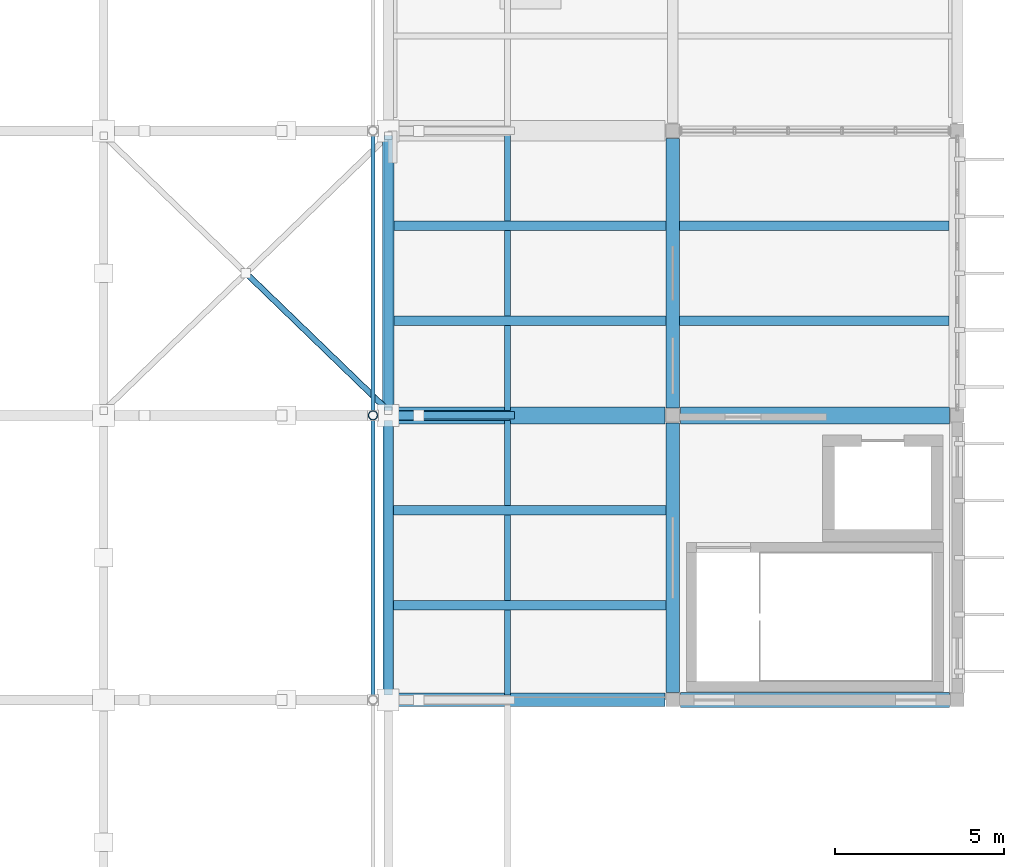
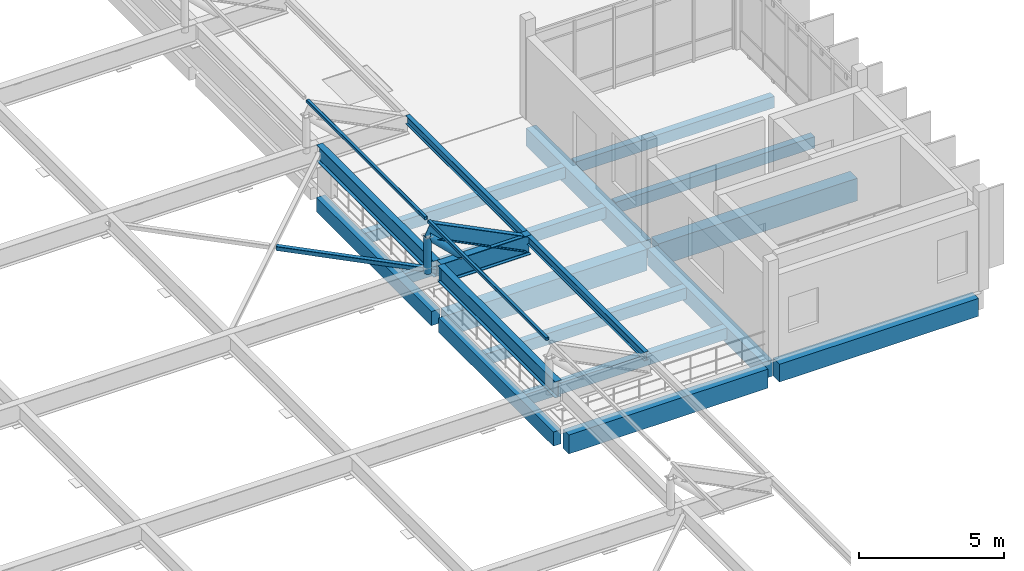
# One storey, part 11 of 41: 20 beams, 5 members.
"""IFC4 building model written with IfcOpenShell, lengths in metres."""

from ifc_helpers import new_model, si_unit, direction, frame, origin, origin_2d, place, context, subcontext, project, spatial, rectangle, hollow_rectangle, hollow_circle, i_section, extrude, material, material_profile, profile_set, type_object, element, save


model = new_model("IFC4")

# Units and contexts
model_context = context("Model", 3, precision=1e-05, world=origin(), true_north=direction((0.0, 1.0)))
body_context = subcontext(model_context, "Body", "Model", "MODEL_VIEW")
ifc_project = project(units=[si_unit("LENGTHUNIT", "METRE"), si_unit("AREAUNIT", "SQUARE_METRE"), si_unit("VOLUMEUNIT", "CUBIC_METRE"), si_unit("PLANEANGLEUNIT", "RADIAN"), si_unit("MASSUNIT", "GRAM", prefix="KILO")], contexts=[model_context])

# Site, building, storey
site_placement = place(None, origin())
site = spatial("IfcSite", under=ifc_project, at=site_placement, CompositionType="ELEMENT")
building_placement = place(site_placement, origin())
building = spatial("IfcBuilding", under=site, at=building_placement, Name="Vireocrest Preparatory School", CompositionType="ELEMENT")
storey_placement = place(building_placement, frame((0.0, 0.0, 21.60009765625)))
storey = spatial("IfcBuildingStorey", under=building, at=storey_placement, Name="L05", CompositionType="ELEMENT", Elevation=21.60009765625)

# Beams
ifc_material_1 = material(Name="Structural steel ASTM A992 Grade 50", Category="steel")
ifc_material_profile_1 = material_profile(ifc_material_1, i_section(OverallWidth=0.25390625, OverallDepth=0.68408203125, WebThickness=0.012451171875, FlangeThickness=0.018798828125, FilletRadius=0.01806640625, at=origin_2d()), Name="W27X94")
ifc_profile_set_1 = profile_set([ifc_material_profile_1], Name="Structural steel ASTM A992 Grade 50")
beam_type_1 = type_object("IfcBeamType", Name="Bridge Primary Steel Girder W27X94", PredefinedType="BEAM", material=ifc_profile_set_1)
beam_1_placement = place(storey_placement, frame((92.39990234375, 43.944091796875, 1.492919921875), z_axis=(0.0, 1.0, 0.0), x_axis=(-1.0, 0.0, 0.0)))
element("IfcBeam", 1, at=beam_1_placement, inside=storey, type_object=beam_type_1, Name="Canopy Longitudinal Beam EO-3", PredefinedType="BEAM", context=body_context, shape_type="SweptSolid", body=[
    extrude(i_section(OverallWidth=0.25390625, OverallDepth=0.68408203125, WebThickness=0.012451171875, FlangeThickness=0.018798828125, FilletRadius=0.01806640625, at=origin_2d()), origin(), (0.0, 0.0, 1.0), 8.11181640625),
])
beam_2_placement = place(storey_placement, frame((92.39990234375, 52.343994140625, 1.492919921875), z_axis=(0.0, 1.0, 0.0), x_axis=(-1.0, 0.0, 0.0)))
element("IfcBeam", 2, at=beam_2_placement, inside=storey, type_object=beam_type_1, Name="Canopy Longitudinal Beam EO-4", PredefinedType="BEAM", context=body_context, shape_type="SweptSolid", body=[
    extrude(i_section(OverallWidth=0.25390625, OverallDepth=0.68408203125, WebThickness=0.012451171875, FlangeThickness=0.018798828125, FilletRadius=0.01806640625, at=origin_2d()), origin(), (0.0, 0.0, 1.0), 8.112060546875),
])

# Members
ifc_material_2 = material(Name="Painted white steel ASTM A500 Grade C", Category="steel")
ifc_material_profile_2 = material_profile(ifc_material_2, hollow_rectangle(XDim=0.126953125, YDim=0.126953125, WallThickness=0.0087890625, InnerFilletRadius=0.0087890625, OuterFilletRadius=0.017822265625, at=origin_2d()), Name="HSS5X5X3/8")
ifc_profile_set_2 = profile_set([ifc_material_profile_2], Name="Painted white steel ASTM A500 Grade C")
member_type_1 = type_object("IfcMemberType", Name="Canopy Glass Steel Purlin HSS5X5X3/8", PredefinedType="PURLIN", material=ifc_profile_set_2)
member_1_placement = place(storey_placement, frame((91.949951171875, 43.909912109375, 3.7919921875), z_axis=(0.0, 1.0, 0.0), x_axis=(-1.0, 0.0, 0.0)))
element("IfcMember", 3, at=member_1_placement, inside=storey, type_object=member_type_1, Name="Canopy Glass Purlin PR2-3-8", PredefinedType="PURLIN", context=body_context, shape_type="SweptSolid", body=[
    extrude(hollow_rectangle(XDim=0.126953125, YDim=0.126953125, WallThickness=0.0087890625, InnerFilletRadius=0.0087890625, OuterFilletRadius=0.017822265625, at=origin_2d()), origin(), (0.0, 0.0, 1.0), 8.18017578125),
])
member_2_placement = place(storey_placement, frame((91.949951171875, 52.31005859375, 3.7919921875), z_axis=(0.0, 1.0, 0.0), x_axis=(-1.0, 0.0, 0.0)))
element("IfcMember", 4, at=member_2_placement, inside=storey, type_object=member_type_1, Name="Canopy Glass Purlin PR2-4-8", PredefinedType="PURLIN", context=body_context, shape_type="SweptSolid", body=[
    extrude(hollow_rectangle(XDim=0.126953125, YDim=0.126953125, WallThickness=0.0087890625, InnerFilletRadius=0.0087890625, OuterFilletRadius=0.017822265625, at=origin_2d()), origin(), (0.0, 0.0, 1.0), 8.179931640625),
])
ifc_material_profile_3 = material_profile(ifc_material_2, hollow_rectangle(XDim=0.177734375, YDim=0.177734375, WallThickness=0.0087890625, InnerFilletRadius=0.0087890625, OuterFilletRadius=0.017822265625, at=origin_2d()), Name="HSS7X7X3/8")
ifc_profile_set_3 = profile_set([ifc_material_profile_3], Name="Painted white steel ASTM A500 Grade C")
member_type_2 = type_object("IfcMemberType", Name="Canopy Plane Wind Brace HSS7X7X3/8", PredefinedType="BRACE", material=ifc_profile_set_3)
member_3_placement = place(storey_placement, frame((88.286376953125, 56.316650390625, 1.41748046875), z_axis=(0.718974870981, -0.695036067336, 0.0), x_axis=(0.695036067336, 0.718974870981, 0.0)))
element("IfcMember", 5, at=member_3_placement, inside=storey, type_object=member_type_2, Name="Canopy Split Wind X-Brace BR2-4-E-2", PredefinedType="BRACE", context=body_context, shape_type="SweptSolid", body=[
    extrude(hollow_rectangle(XDim=0.177734375, YDim=0.177734375, WallThickness=0.0087890625, InnerFilletRadius=0.0087890625, OuterFilletRadius=0.017822265625, at=origin_2d()), origin(), (0.0, 0.0, 1.0), 5.721435546875),
])

# Beams
ifc_material_profile_4 = material_profile(ifc_material_1, i_section(OverallWidth=0.2919921875, OverallDepth=0.8349609375, WebThickness=0.013916015625, FlangeThickness=0.018798828125, FilletRadius=0.02001953125, at=origin_2d()), Name="W33X118")
ifc_profile_set_4 = profile_set([ifc_material_profile_4], Name="Structural steel ASTM A992 Grade 50")
beam_type_2 = type_object("IfcBeamType", Name="Central Court Canopy Primary Girder W33X118", PredefinedType="BEAM", material=ifc_profile_set_4)
beam_3_placement = place(storey_placement, frame((92.39990234375, 52.199951171875, 1.41748046875), z_axis=(1.0, 0.0, 0.0), x_axis=(0.0, 1.0, 0.0)))
element("IfcBeam", 6, at=beam_3_placement, inside=storey, type_object=beam_type_2, Name="Central Court Canopy Primary Girder CG1-4E", PredefinedType="BEAM", context=body_context, shape_type="SweptSolid", body=[
    extrude(i_section(OverallWidth=0.2919921875, OverallDepth=0.8349609375, WebThickness=0.013916015625, FlangeThickness=0.018798828125, FilletRadius=0.02001953125, at=origin_2d()), origin(), (0.0, 0.0, 1.0), 3.60009765625),
])
ifc_material_profile_5 = material_profile(ifc_material_1, i_section(OverallWidth=0.22802734375, OverallDepth=0.60302734375, WebThickness=0.010498046875, FlangeThickness=0.014892578125, FilletRadius=0.01611328125, at=origin_2d()), Name="W24X68")
ifc_profile_set_5 = profile_set([ifc_material_profile_5], Name="Structural steel ASTM A992 Grade 50")
beam_type_3 = type_object("IfcBeamType", Name="Dining Pavilion Roof Girder W24X68", PredefinedType="BEAM", material=ifc_profile_set_5)
beam_4_placement = place(storey_placement, frame((91.949951171875, 52.199951171875, 3.394287109375), z_axis=(0.894869090369, 0.0, -0.446328702979), x_axis=(0.0, 1.0, 0.0)))
element("IfcBeam", 7, at=beam_4_placement, inside=storey, type_object=beam_type_3, Name="Canopy Rafter Chord SB4-4-8", PredefinedType="BEAM", context=body_context, shape_type="SweptSolid", body=[
    extrude(i_section(OverallWidth=0.22802734375, OverallDepth=0.60302734375, WebThickness=0.010498046875, FlangeThickness=0.014892578125, FilletRadius=0.01611328125, at=origin_2d()), origin(), (0.0, 0.0, 1.0), 4.52587890625),
])
ifc_material_profile_6 = material_profile(ifc_material_1, i_section(OverallWidth=0.172119140625, OverallDepth=0.35791015625, WebThickness=0.0078125, FlangeThickness=0.01318359375, FilletRadius=0.012939453125, at=origin_2d()), Name="W14X38")
ifc_profile_set_6 = profile_set([ifc_material_profile_6], Name="Structural steel ASTM A992 Grade 50")
beam_type_4 = type_object("IfcBeamType", Name="Entrance Canopy Header Lintel W14X38", PredefinedType="USERDEFINED", material=ifc_profile_set_6)
beam_5_placement = place(storey_placement, frame((95.919921875, 43.944091796875, 1.656005859375), z_axis=(0.0, 1.0, 0.0), x_axis=(-1.0, 0.0, 0.0)))
element("IfcBeam", 8, at=beam_5_placement, inside=storey, type_object=beam_type_4, Name="Canopy Longitudinal Beam ETIP-3", ObjectType="LINTEL", PredefinedType="USERDEFINED", context=body_context, shape_type="SweptSolid", body=[
    extrude(i_section(OverallWidth=0.172119140625, OverallDepth=0.35791015625, WebThickness=0.0078125, FlangeThickness=0.01318359375, FilletRadius=0.012939453125, at=origin_2d()), origin(), (0.0, 0.0, 1.0), 8.11181640625),
])
beam_6_placement = place(storey_placement, frame((95.919921875, 52.343994140625, 1.656005859375), z_axis=(0.0, 1.0, 0.0), x_axis=(-1.0, 0.0, 0.0)))
element("IfcBeam", 9, at=beam_6_placement, inside=storey, type_object=beam_type_4, Name="Canopy Longitudinal Beam ETIP-4", ObjectType="LINTEL", PredefinedType="USERDEFINED", context=body_context, shape_type="SweptSolid", body=[
    extrude(i_section(OverallWidth=0.172119140625, OverallDepth=0.35791015625, WebThickness=0.0078125, FlangeThickness=0.01318359375, FilletRadius=0.012939453125, at=origin_2d()), origin(), (0.0, 0.0, 1.0), 8.112060546875),
])
ifc_material_3 = material(Name="Concrete 40 MPa", Category="concrete")
ifc_material_profile_7 = material_profile(ifc_material_3, rectangle(XDim=0.5, YDim=0.949951171875, at=origin_2d()), Name="RC 500x950")
ifc_profile_set_7 = profile_set([ifc_material_profile_7], Name="Concrete 40 MPa")
beam_type_5 = type_object("IfcBeamType", Name="RC Basement Ceiling Girder 500x950", PredefinedType="BEAM", material=ifc_profile_set_7)
beam_7_placement = place(storey_placement, frame((101.02490234375, 52.199951171875, -0.735107421875), z_axis=(1.0, 0.0, 0.0), x_axis=(0.0, 1.0, 0.0)))
element("IfcBeam", 10, at=beam_7_placement, inside=storey, type_object=beam_type_5, Name="Primary Girder B16 L05-1526", PredefinedType="BEAM", context=body_context, shape_type="SweptSolid", body=[
    extrude(rectangle(XDim=0.5, YDim=0.949951171875, at=origin_2d()), origin(), (0.0, 0.0, 1.0), 7.9501953125),
])
ifc_material_profile_8 = material_profile(ifc_material_3, rectangle(XDim=0.300048828125, YDim=0.60009765625, at=origin_2d()), Name="RC 300x600")
ifc_profile_set_8 = profile_set([ifc_material_profile_8], Name="Concrete 40 MPa")
beam_type_6 = type_object("IfcBeamType", Name="RC Classroom Beam 300x600", PredefinedType="BEAM", material=ifc_profile_set_8)
beam_8_placement = place(storey_placement, frame((92.39990234375, 44.02490234375, -0.6201171875), z_axis=(0.0, 1.0, 0.0), x_axis=(-1.0, 0.0, 0.0)))
element("IfcBeam", 11, at=beam_8_placement, inside=storey, type_object=beam_type_6, Name="Primary Girder B03 L05-1598", PredefinedType="BEAM", context=body_context, shape_type="SweptSolid", body=[
    extrude(rectangle(XDim=0.300048828125, YDim=0.60009765625, at=origin_2d()), origin(), (0.0, 0.0, 1.0), 7.9501953125),
])
ifc_material_profile_9 = material_profile(ifc_material_3, rectangle(XDim=0.35009765625, YDim=0.60009765625, at=origin_2d()), Name="RC 350x600")
ifc_profile_set_9 = profile_set([ifc_material_profile_9], Name="Concrete 40 MPa")
beam_type_7 = type_object("IfcBeamType", Name="RC Classroom Girder 350x600", PredefinedType="BEAM", material=ifc_profile_set_9)
beam_9_placement = place(storey_placement, frame((92.39990234375, 52.425048828125, -0.6201171875), z_axis=(0.0, 1.0, 0.0), x_axis=(-1.0, 0.0, 0.0)))
element("IfcBeam", 12, at=beam_9_placement, inside=storey, type_object=beam_type_7, Name="Primary Girder B04 L05-1599", PredefinedType="BEAM", context=body_context, shape_type="SweptSolid", body=[
    extrude(rectangle(XDim=0.35009765625, YDim=0.60009765625, at=origin_2d()), origin(), (0.0, 0.0, 1.0), 7.949951171875),
])
ifc_material_profile_10 = material_profile(ifc_material_3, rectangle(XDim=0.39990234375, YDim=0.75, at=origin_2d()), Name="RC 400x750")
ifc_profile_set_10 = profile_set([ifc_material_profile_10], Name="Concrete 40 MPa")
beam_type_8 = type_object("IfcBeamType", Name="RC Commons Girder 400x750", PredefinedType="BEAM", material=ifc_profile_set_10)
beam_10_placement = place(storey_placement, frame((100.800048828125, 52.425048828125, -0.695068359375), z_axis=(0.0, 1.0, 0.0), x_axis=(-1.0, 0.0, 0.0)))
element("IfcBeam", 13, at=beam_10_placement, inside=storey, type_object=beam_type_8, Name="Primary Girder B09 L05-1604", PredefinedType="BEAM", context=body_context, shape_type="SweptSolid", body=[
    extrude(rectangle(XDim=0.39990234375, YDim=0.75, at=origin_2d()), origin(), (0.0, 0.0, 1.0), 7.949951171875),
])
ifc_material_profile_11 = material_profile(ifc_material_3, rectangle(XDim=0.39990234375, YDim=0.699951171875, at=origin_2d()), Name="RC 400x700")
ifc_profile_set_11 = profile_set([ifc_material_profile_11], Name="Concrete 40 MPa")
beam_type_9 = type_object("IfcBeamType", Name="RC Corridor Girder 400x700", PredefinedType="BEAM", material=ifc_profile_set_11)
beam_11_placement = place(storey_placement, frame((100.800048828125, 44.02490234375, -0.670166015625), z_axis=(0.0, 1.0, 0.0), x_axis=(-1.0, 0.0, 0.0)))
element("IfcBeam", 14, at=beam_11_placement, inside=storey, type_object=beam_type_9, Name="Primary Girder B08 L05-1603", PredefinedType="BEAM", context=body_context, shape_type="SweptSolid", body=[
    extrude(rectangle(XDim=0.39990234375, YDim=0.699951171875, at=origin_2d()), origin(), (0.0, 0.0, 1.0), 7.9501953125),
])
ifc_material_profile_12 = material_profile(ifc_material_3, rectangle(XDim=0.39990234375, YDim=0.800048828125, at=origin_2d()), Name="RC 400x800")
ifc_profile_set_12 = profile_set([ifc_material_profile_12], Name="Concrete 40 MPa")
beam_type_10 = type_object("IfcBeamType", Name="RC Library Reading Girder 400x800", PredefinedType="BEAM", material=ifc_profile_set_12)
beam_12_placement = place(storey_placement, frame((92.625, 43.800048828125, -0.72021484375), z_axis=(1.0, 0.0, 0.0), x_axis=(0.0, 1.0, 0.0)))
element("IfcBeam", 15, at=beam_12_placement, inside=storey, type_object=beam_type_10, Name="Primary Girder B10 L05-1520", PredefinedType="BEAM", context=body_context, shape_type="SweptSolid", body=[
    extrude(rectangle(XDim=0.39990234375, YDim=0.800048828125, at=origin_2d()), origin(), (0.0, 0.0, 1.0), 7.949951171875),
])
ifc_material_profile_13 = material_profile(ifc_material_3, rectangle(XDim=0.449951171875, YDim=0.75, at=origin_2d()), Name="RC 450x750")
ifc_profile_set_13 = profile_set([ifc_material_profile_13], Name="Concrete 40 MPa")
beam_type_11 = type_object("IfcBeamType", Name="RC Library Stack Girder 450x750", PredefinedType="BEAM", material=ifc_profile_set_13)
beam_13_placement = place(storey_placement, frame((101.02490234375, 43.800048828125, -0.635009765625), z_axis=(1.0, 0.0, 0.0), x_axis=(0.0, 1.0, 0.0)))
element("IfcBeam", 16, at=beam_13_placement, inside=storey, type_object=beam_type_11, Name="Primary Girder B11 L05-1521", PredefinedType="BEAM", context=body_context, shape_type="SweptSolid", body=[
    extrude(rectangle(XDim=0.449951171875, YDim=0.75, at=origin_2d()), origin(), (0.0, 0.0, 1.0), 7.9501953125),
])
ifc_material_profile_14 = material_profile(ifc_material_3, rectangle(XDim=0.5, YDim=0.89990234375, at=origin_2d()), Name="RC 500x900")
ifc_profile_set_14 = profile_set([ifc_material_profile_14], Name="Concrete 40 MPa")
beam_type_12 = type_object("IfcBeamType", Name="RC Podium Girder 500x900", PredefinedType="BEAM", material=ifc_profile_set_14)
beam_14_placement = place(storey_placement, frame((92.625, 52.199951171875, -0.77001953125), z_axis=(1.0, 0.0, 0.0), x_axis=(0.0, 1.0, 0.0)))
element("IfcBeam", 17, at=beam_14_placement, inside=storey, type_object=beam_type_12, Name="Primary Girder B15 L05-1525", PredefinedType="BEAM", context=body_context, shape_type="SweptSolid", body=[
    extrude(rectangle(XDim=0.5, YDim=0.89990234375, at=origin_2d()), origin(), (0.0, 0.0, 1.0), 7.949951171875),
])
ifc_material_profile_15 = material_profile(ifc_material_3, rectangle(XDim=0.280029296875, YDim=0.47998046875, at=origin_2d()), Name="RC 280x480")
ifc_profile_set_15 = profile_set([ifc_material_profile_15], Name="Concrete 40 MPa")
beam_type_13 = type_object("IfcBeamType", Name="RC Secondary Lab Joist 280x480", PredefinedType="JOIST", material=ifc_profile_set_15)
for number, where, z_axis, x_axis, name in (
    (18, (92.550048828125, 46.60009765625, -0.56005859375), (1.0, 0.0, 0.0), (0.0, 1.0, 0.0), "Secondary Joist J02 L05-1665"),
    (19, (92.550048828125, 49.39990234375, -0.56005859375), (1.0, 0.0, 0.0), (0.0, 1.0, 0.0), "Secondary Joist J02 L05-1666"),
):
    element("IfcBeam", number, at=place(storey_placement, frame(where, z_axis=z_axis, x_axis=x_axis)), inside=storey, type_object=beam_type_13, Name=name, PredefinedType="JOIST", context=body_context, shape_type="SweptSolid", body=[
        extrude(rectangle(XDim=0.280029296875, YDim=0.47998046875, at=origin_2d()), origin(), (0.0, 0.0, 1.0), 8.050048828125),
    ])
for number, where, z_axis, x_axis, name in (
    (20, (92.574951171875, 55.0, -0.56005859375), (1.0, 0.0, 0.0), (0.0, 1.0, 0.0), "Secondary Joist J02 L05-1667"),
    (21, (92.574951171875, 57.800048828125, -0.56005859375), (1.0, 0.0, 0.0), (0.0, 1.0, 0.0), "Secondary Joist J02 L05-1668"),
):
    element("IfcBeam", number, at=place(storey_placement, frame(where, z_axis=z_axis, x_axis=x_axis)), inside=storey, type_object=beam_type_13, Name=name, PredefinedType="JOIST", context=body_context, shape_type="SweptSolid", body=[
        extrude(rectangle(XDim=0.280029296875, YDim=0.47998046875, at=origin_2d()), origin(), (0.0, 0.0, 1.0), 8.025146484375),
    ])
for number, where, z_axis, x_axis, name in (
    (22, (101.0, 55.0, -0.5), (1.0, 0.0, 0.0), (0.0, 1.0, 0.0), "Secondary Joist J02 L05-1675"),
    (23, (101.0, 57.800048828125, -0.5), (1.0, 0.0, 0.0), (0.0, 1.0, 0.0), "Secondary Joist J02 L05-1676"),
):
    element("IfcBeam", number, at=place(storey_placement, frame(where, z_axis=z_axis, x_axis=x_axis)), inside=storey, type_object=beam_type_13, Name=name, PredefinedType="JOIST", context=body_context, shape_type="SweptSolid", body=[
        extrude(rectangle(XDim=0.280029296875, YDim=0.47998046875, at=origin_2d()), origin(), (0.0, 0.0, 1.0), 7.949951171875),
    ])

# Members
ifc_material_profile_16 = material_profile(ifc_material_2, hollow_circle(Radius=0.136474609375, WallThickness=0.0126953125, at=origin_2d()), Name="HSS10.750X0.500")
ifc_profile_set_16 = profile_set([ifc_material_profile_16], Name="Painted white steel ASTM A500 Grade C")
member_type_3 = type_object("IfcMemberType", Name="White Steel Clerestory Strut HSS10.750X0.500", PredefinedType="USERDEFINED", material=ifc_profile_set_16)
member_4_placement = place(storey_placement, frame((91.949951171875, 52.199951171875, 1.577392578125), z_axis=(0.0, 0.0, 1.0), x_axis=(1.0, 0.0, 0.0)))
element("IfcMember", 24, at=member_4_placement, inside=storey, type_object=member_type_3, Name="Canopy Truss Web Vertical VS3-4-8", ObjectType="STRUT", PredefinedType="USERDEFINED", context=body_context, shape_type="SweptSolid", body=[
    extrude(hollow_circle(Radius=0.136474609375, WallThickness=0.0126953125, at=origin_2d()), origin(), (0.0, 0.0, 1.0), 1.54052734375),
])
member_5_placement = place(storey_placement, frame((93.300048828125, 52.199951171875, 1.81494140625), z_axis=(-0.719551659837, 0.0, 0.694438916555), x_axis=(0.0, -1.0, 0.0)))
element("IfcMember", 25, at=member_5_placement, inside=storey, type_object=member_type_3, Name="Canopy Truss Web Strut VS3-4-7", ObjectType="STRUT", PredefinedType="USERDEFINED", context=body_context, shape_type="SweptSolid", body=[
    extrude(hollow_circle(Radius=0.136474609375, WallThickness=0.0126953125, at=origin_2d()), origin(), (0.0, 0.0, 1.0), 1.876220703125),
])

save(model, "model.ifc")
